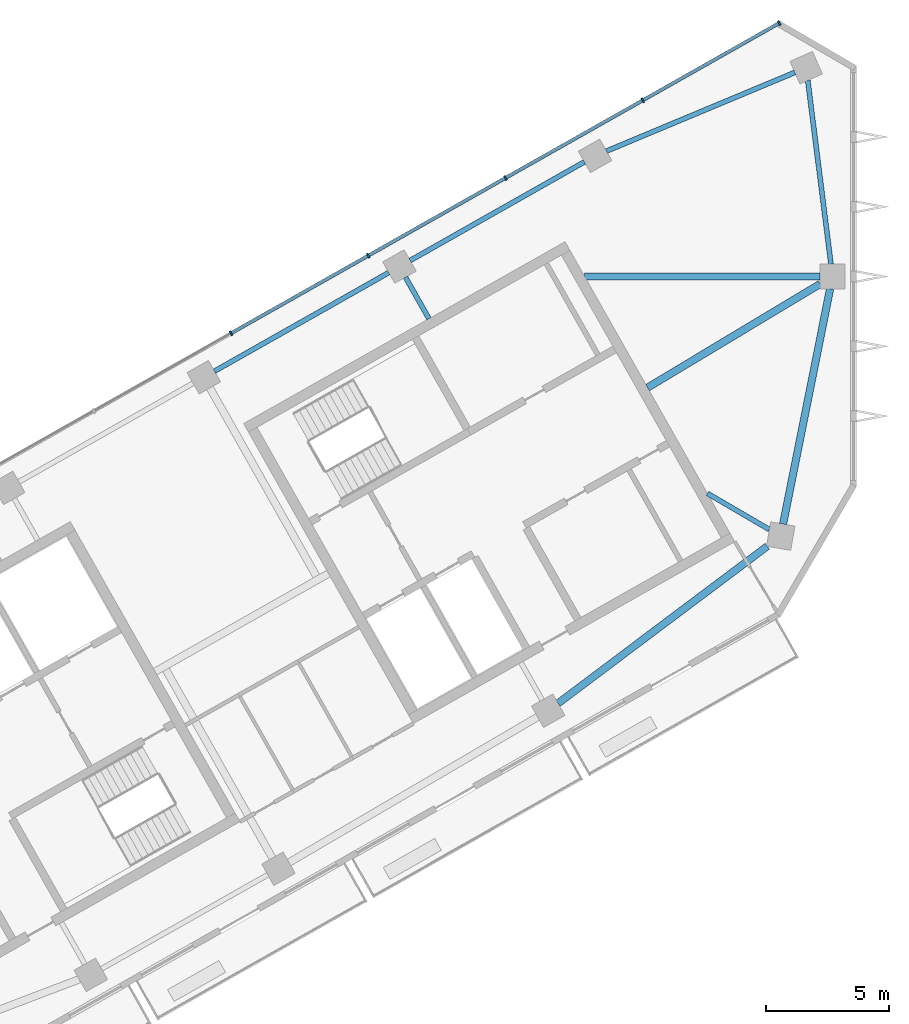
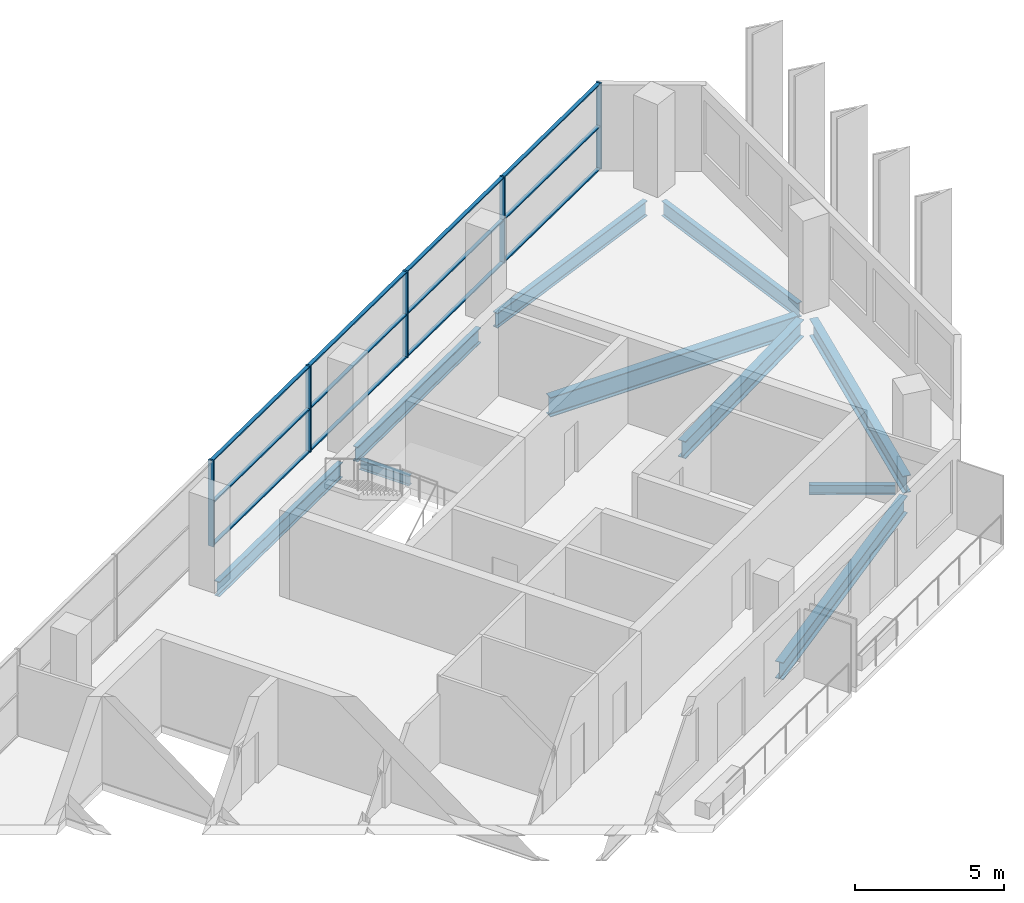
# One storey, part 4 of 10: 17 members, 10 beams, 1 element without a shape of its own.
"""IFC4 building model written with IfcOpenShell, lengths in metres."""

from ifc_helpers import new_model, si_unit, direction, frame, origin, origin_2d, place, context, subcontext, project, spatial, rectangle, i_section, extrude, material, material_profile, profile_set, type_object, element, aggregate, save


model = new_model("IFC4")

# Units and contexts
model_context = context("Model", 3, precision=1e-05, world=origin(), true_north=direction((0.0, 1.0)))
body_context = subcontext(model_context, "Body", "Model", "MODEL_VIEW")
ifc_project = project(units=[si_unit("LENGTHUNIT", "METRE"), si_unit("AREAUNIT", "SQUARE_METRE"), si_unit("VOLUMEUNIT", "CUBIC_METRE"), si_unit("PLANEANGLEUNIT", "RADIAN"), si_unit("MASSUNIT", "GRAM", prefix="KILO")], contexts=[model_context])

# Site, building, storey
site_placement = place(None, origin())
site = spatial("IfcSite", under=ifc_project, at=site_placement, CompositionType="ELEMENT")
building_placement = place(site_placement, origin())
building = spatial("IfcBuilding", under=site, at=building_placement, Name="Binnacle Exchange Tower", CompositionType="ELEMENT")
storey_placement = place(building_placement, frame((0.0, 0.0, 331.699951171875)))
storey = spatial("IfcBuildingStorey", under=building, at=storey_placement, Name="L75", CompositionType="ELEMENT", Elevation=331.699951171875)

# Curtain wall, members
ifc_material_1 = material(Name="Bronze anodised aluminium frame", Category="aluminium")
curtain_wall_type = type_object("IfcCurtainWallType", Name="External wall - curtain wall executive floors", PredefinedType="NOTDEFINED", material=ifc_material_1)
curtain_wall_placement = place(storey_placement, origin())
curtain_wall = element("IfcCurtainWall", 1, at=curtain_wall_placement, inside=storey, type_object=curtain_wall_type, Name="External wall curtain wall CW4-H03 L75", PredefinedType="NOTDEFINED")
ifc_material_profile_1 = material_profile(ifc_material_1, rectangle(XDim=0.199951171875, YDim=0.070068359375, at=origin_2d()), Name="AL 70x200")
ifc_profile_set_1 = profile_set([ifc_material_profile_1], Name="Bronze anodised aluminium frame")
member_type_1 = type_object("IfcMemberType", Name="CW4 MULLION 70x200", PredefinedType="MULLION", material=ifc_profile_set_1)
member_1_placement = place(storey_placement, frame((-3.01416015625, 70.294677734375, 0.0), z_axis=(0.0, 0.0, 1.0), x_axis=(0.492423763019, -0.870355581136, 0.0)))
member_1 = element("IfcMember", 2, at=member_1_placement, type_object=member_type_1, Name="CW4-H03 mullion 1", PredefinedType="MULLION", context=body_context, shape_type="SweptSolid", body=[
    extrude(rectangle(XDim=0.199951171875, YDim=0.070068359375, at=origin_2d()), origin(), (0.0, 0.0, 1.0), 3.52001953125),
])
member_2_placement = place(storey_placement, frame((-8.55859375, 67.15771484375, 0.0), z_axis=(0.0, 0.0, 1.0), x_axis=(0.492423763019, -0.870355581136, 0.0)))
member_2 = element("IfcMember", 3, at=member_2_placement, type_object=member_type_1, Name="CW4-H03 mullion 2", PredefinedType="MULLION", context=body_context, shape_type="SweptSolid", body=[
    extrude(rectangle(XDim=0.199951171875, YDim=0.070068359375, at=origin_2d()), origin(), (0.0, 0.0, 1.0), 3.52001953125),
])
member_3_placement = place(storey_placement, frame((-14.13330078125, 64.003662109375, 0.0), z_axis=(0.0, 0.0, 1.0), x_axis=(0.492423763019, -0.870355581136, 0.0)))
member_3 = element("IfcMember", 4, at=member_3_placement, type_object=member_type_1, Name="CW4-H03 mullion 3", PredefinedType="MULLION", context=body_context, shape_type="SweptSolid", body=[
    extrude(rectangle(XDim=0.199951171875, YDim=0.070068359375, at=origin_2d()), origin(), (0.0, 0.0, 1.0), 3.52001953125),
])
member_4_placement = place(storey_placement, frame((-19.708251953125, 60.849609375, 0.0), z_axis=(0.0, 0.0, 1.0), x_axis=(0.492423763019, -0.870355581136, 0.0)))
member_4 = element("IfcMember", 5, at=member_4_placement, type_object=member_type_1, Name="CW4-H03 mullion 4", PredefinedType="MULLION", context=body_context, shape_type="SweptSolid", body=[
    extrude(rectangle(XDim=0.199951171875, YDim=0.070068359375, at=origin_2d()), origin(), (0.0, 0.0, 1.0), 3.52001953125),
])
member_5_placement = place(storey_placement, frame((-25.283203125, 57.695556640625, 0.0), z_axis=(0.0, 0.0, 1.0), x_axis=(0.492423763019, -0.870355581136, 0.0)))
member_5 = element("IfcMember", 6, at=member_5_placement, type_object=member_type_1, Name="CW4-H03 mullion 5", PredefinedType="MULLION", context=body_context, shape_type="SweptSolid", body=[
    extrude(rectangle(XDim=0.199951171875, YDim=0.070068359375, at=origin_2d()), origin(), (0.0, 0.0, 1.0), 3.52001953125),
])
ifc_material_profile_2 = material_profile(ifc_material_1, rectangle(XDim=0.139892578125, YDim=0.050048828125, at=origin_2d()), Name="AL 140x50")
ifc_profile_set_2 = profile_set([ifc_material_profile_2], Name="Bronze anodised aluminium frame")
member_type_2 = type_object("IfcMemberType", Name="CW4 TRANSOM 50x140", PredefinedType="USERDEFINED", material=ifc_profile_set_2)
member_6_placement = place(storey_placement, frame((-3.044677734375, 70.27734375, 0.025146484375), z_axis=(-0.870359957561, -0.492416027637, 0.0), x_axis=(0.492416027637, -0.870359957561, 0.0)))
member_6 = element("IfcMember", 7, at=member_6_placement, type_object=member_type_2, Name="CW4-H03 transom 1.1", ObjectType="TRANSOM", PredefinedType="USERDEFINED", context=body_context, shape_type="SweptSolid", body=[
    extrude(rectangle(XDim=0.139892578125, YDim=0.050048828125, at=origin_2d()), origin(), (0.0, 0.0, 1.0), 6.300048828125),
])
member_7_placement = place(storey_placement, frame((-3.044677734375, 70.27734375, 1.760009765625), z_axis=(-0.870359957561, -0.492416027637, 0.0), x_axis=(0.492416027637, -0.870359957561, 0.0)))
member_7 = element("IfcMember", 8, at=member_7_placement, type_object=member_type_2, Name="CW4-H03 transom 1.2", ObjectType="TRANSOM", PredefinedType="USERDEFINED", context=body_context, shape_type="SweptSolid", body=[
    extrude(rectangle(XDim=0.139892578125, YDim=0.050048828125, at=origin_2d()), origin(), (0.0, 0.0, 1.0), 6.300048828125),
])
member_8_placement = place(storey_placement, frame((-3.044677734375, 70.27734375, 3.4951171875), z_axis=(-0.870359957561, -0.492416027637, 0.0), x_axis=(0.492416027637, -0.870359957561, 0.0)))
member_8 = element("IfcMember", 9, at=member_8_placement, type_object=member_type_2, Name="CW4-H03 transom 1.3", ObjectType="TRANSOM", PredefinedType="USERDEFINED", context=body_context, shape_type="SweptSolid", body=[
    extrude(rectangle(XDim=0.139892578125, YDim=0.050048828125, at=origin_2d()), origin(), (0.0, 0.0, 1.0), 6.300048828125),
])
member_9_placement = place(storey_placement, frame((-8.589111328125, 67.140625, 0.025146484375), z_axis=(-0.870355335808, -0.492424196633, 0.0), x_axis=(0.492424196633, -0.870355335808, 0.0)))
member_9 = element("IfcMember", 10, at=member_9_placement, type_object=member_type_2, Name="CW4-H03 transom 2.1", ObjectType="TRANSOM", PredefinedType="USERDEFINED", context=body_context, shape_type="SweptSolid", body=[
    extrude(rectangle(XDim=0.139892578125, YDim=0.050048828125, at=origin_2d()), origin(), (0.0, 0.0, 1.0), 6.335205078125),
])
member_10_placement = place(storey_placement, frame((-8.589111328125, 67.140625, 1.760009765625), z_axis=(-0.870355335808, -0.492424196633, 0.0), x_axis=(0.492424196633, -0.870355335808, 0.0)))
member_10 = element("IfcMember", 11, at=member_10_placement, type_object=member_type_2, Name="CW4-H03 transom 2.2", ObjectType="TRANSOM", PredefinedType="USERDEFINED", context=body_context, shape_type="SweptSolid", body=[
    extrude(rectangle(XDim=0.139892578125, YDim=0.050048828125, at=origin_2d()), origin(), (0.0, 0.0, 1.0), 6.335205078125),
])
member_11_placement = place(storey_placement, frame((-8.589111328125, 67.140625, 3.4951171875), z_axis=(-0.870355335808, -0.492424196633, 0.0), x_axis=(0.492424196633, -0.870355335808, 0.0)))
member_11 = element("IfcMember", 12, at=member_11_placement, type_object=member_type_2, Name="CW4-H03 transom 2.3", ObjectType="TRANSOM", PredefinedType="USERDEFINED", context=body_context, shape_type="SweptSolid", body=[
    extrude(rectangle(XDim=0.139892578125, YDim=0.050048828125, at=origin_2d()), origin(), (0.0, 0.0, 1.0), 6.335205078125),
])
member_12_placement = place(storey_placement, frame((-14.163818359375, 63.986328125, 0.025146484375), z_axis=(-0.870355335808, -0.492424196633, 0.0), x_axis=(0.492424196633, -0.870355335808, 0.0)))
member_12 = element("IfcMember", 13, at=member_12_placement, type_object=member_type_2, Name="CW4-H03 transom 3.1", ObjectType="TRANSOM", PredefinedType="USERDEFINED", context=body_context, shape_type="SweptSolid", body=[
    extrude(rectangle(XDim=0.139892578125, YDim=0.050048828125, at=origin_2d()), origin(), (0.0, 0.0, 1.0), 6.335205078125),
])
member_13_placement = place(storey_placement, frame((-14.163818359375, 63.986328125, 1.760009765625), z_axis=(-0.870355335808, -0.492424196633, 0.0), x_axis=(0.492424196633, -0.870355335808, 0.0)))
member_13 = element("IfcMember", 14, at=member_13_placement, type_object=member_type_2, Name="CW4-H03 transom 3.2", ObjectType="TRANSOM", PredefinedType="USERDEFINED", context=body_context, shape_type="SweptSolid", body=[
    extrude(rectangle(XDim=0.139892578125, YDim=0.050048828125, at=origin_2d()), origin(), (0.0, 0.0, 1.0), 6.335205078125),
])
member_14_placement = place(storey_placement, frame((-14.163818359375, 63.986328125, 3.4951171875), z_axis=(-0.870355335808, -0.492424196633, 0.0), x_axis=(0.492424196633, -0.870355335808, 0.0)))
member_14 = element("IfcMember", 15, at=member_14_placement, type_object=member_type_2, Name="CW4-H03 transom 3.3", ObjectType="TRANSOM", PredefinedType="USERDEFINED", context=body_context, shape_type="SweptSolid", body=[
    extrude(rectangle(XDim=0.139892578125, YDim=0.050048828125, at=origin_2d()), origin(), (0.0, 0.0, 1.0), 6.335205078125),
])
member_15_placement = place(storey_placement, frame((-19.73876953125, 60.832275390625, 0.025146484375), z_axis=(-0.870355335808, -0.492424196633, 0.0), x_axis=(0.492424196633, -0.870355335808, 0.0)))
member_15 = element("IfcMember", 16, at=member_15_placement, type_object=member_type_2, Name="CW4-H03 transom 4.1", ObjectType="TRANSOM", PredefinedType="USERDEFINED", context=body_context, shape_type="SweptSolid", body=[
    extrude(rectangle(XDim=0.139892578125, YDim=0.050048828125, at=origin_2d()), origin(), (0.0, 0.0, 1.0), 6.335205078125),
])
member_16_placement = place(storey_placement, frame((-19.73876953125, 60.832275390625, 1.760009765625), z_axis=(-0.870355335808, -0.492424196633, 0.0), x_axis=(0.492424196633, -0.870355335808, 0.0)))
member_16 = element("IfcMember", 17, at=member_16_placement, type_object=member_type_2, Name="CW4-H03 transom 4.2", ObjectType="TRANSOM", PredefinedType="USERDEFINED", context=body_context, shape_type="SweptSolid", body=[
    extrude(rectangle(XDim=0.139892578125, YDim=0.050048828125, at=origin_2d()), origin(), (0.0, 0.0, 1.0), 6.335205078125),
])
member_17_placement = place(storey_placement, frame((-19.73876953125, 60.832275390625, 3.4951171875), z_axis=(-0.870355335808, -0.492424196633, 0.0), x_axis=(0.492424196633, -0.870355335808, 0.0)))
member_17 = element("IfcMember", 18, at=member_17_placement, type_object=member_type_2, Name="CW4-H03 transom 4.3", ObjectType="TRANSOM", PredefinedType="USERDEFINED", context=body_context, shape_type="SweptSolid", body=[
    extrude(rectangle(XDim=0.139892578125, YDim=0.050048828125, at=origin_2d()), origin(), (0.0, 0.0, 1.0), 6.335205078125),
])
aggregate(curtain_wall, [member_1, member_2, member_3, member_4, member_5, member_6, member_7, member_8, member_9, member_10, member_11, member_12, member_13, member_14, member_15, member_16, member_17])

# Beams
ifc_material_2 = material(Name="Steel S355 (SHN355)", Category="steel")
ifc_material_profile_3 = material_profile(ifc_material_2, i_section(OverallWidth=0.200927734375, OverallDepth=0.60595703125, WebThickness=0.011962890625, FlangeThickness=0.02001953125, FilletRadius=0.02197265625, at=origin_2d()), Name="H 606x201x12x20")
ifc_profile_set_3 = profile_set([ifc_material_profile_3], Name="Steel S355 (SHN355)")
beam_type_1 = type_object("IfcBeamType", Name="Edge girder H 606x201x12x20 Steel S355 (SHN355)", PredefinedType="SPANDREL", material=ifc_profile_set_3)
beam_1_placement = place(storey_placement, frame((-0.9130859375, 60.5, -0.5830078125), z_axis=(-0.125172722987, 0.992134965325, 0.0), x_axis=(-0.992134965325, -0.125172722987, 0.0)))
element("IfcBeam", 19, at=beam_1_placement, inside=storey, type_object=beam_type_1, Name="S:BM:edge:L75:018", PredefinedType="SPANDREL", context=body_context, shape_type="SweptSolid", body=[
    extrude(i_section(OverallWidth=0.200927734375, OverallDepth=0.60595703125, WebThickness=0.011962890625, FlangeThickness=0.02001953125, FilletRadius=0.02197265625, at=origin_2d()), origin(), (0.0, 0.0, 1.0), 7.524658203125),
])
ifc_material_profile_4 = material_profile(ifc_material_2, i_section(OverallWidth=0.201904296875, OverallDepth=0.612060546875, WebThickness=0.012939453125, FlangeThickness=0.02294921875, FilletRadius=0.02197265625, at=origin_2d()), Name="H 612x202x13x23")
ifc_profile_set_4 = profile_set([ifc_material_profile_4], Name="Steel S355 (SHN355)")
beam_type_2 = type_object("IfcBeamType", Name="Edge girder H 612x202x13x23 Steel S355 (SHN355)", PredefinedType="SPANDREL", material=ifc_profile_set_4)
beam_2_placement = place(storey_placement, frame((-18.87646484375, 60.159912109375, -0.5859375), z_axis=(-0.870353024448, -0.49242828192, 0.0), x_axis=(0.49242828192, -0.870353024448, 0.0)))
element("IfcBeam", 20, at=beam_2_placement, inside=storey, type_object=beam_type_2, Name="S:BM:edge:L75:013", PredefinedType="SPANDREL", context=body_context, shape_type="SweptSolid", body=[
    extrude(i_section(OverallWidth=0.201904296875, OverallDepth=0.612060546875, WebThickness=0.012939453125, FlangeThickness=0.02294921875, FilletRadius=0.02197265625, at=origin_2d()), origin(), (0.0, 0.0, 1.0), 8.1298828125),
])
beam_3_placement = place(storey_placement, frame((-10.930419921875, 64.655517578125, -0.5859375), z_axis=(-0.870345742373, -0.492441152558, 0.0), x_axis=(0.492441152558, -0.870345742373, 0.0)))
element("IfcBeam", 21, at=beam_3_placement, inside=storey, type_object=beam_type_2, Name="S:BM:edge:L75:015", PredefinedType="SPANDREL", context=body_context, shape_type="SweptSolid", body=[
    extrude(i_section(OverallWidth=0.201904296875, OverallDepth=0.612060546875, WebThickness=0.012939453125, FlangeThickness=0.02294921875, FilletRadius=0.02197265625, at=origin_2d()), origin(), (0.0, 0.0, 1.0), 8.129638671875),
])
beam_4_placement = place(storey_placement, frame((-2.381591796875, 68.29052734375, -0.5859375), z_axis=(-0.922743712975, -0.385414115161, 0.0), x_axis=(0.385414115161, -0.922743712975, 0.0)))
element("IfcBeam", 22, at=beam_4_placement, inside=storey, type_object=beam_type_2, Name="S:BM:edge:L75:017", PredefinedType="SPANDREL", context=body_context, shape_type="SweptSolid", body=[
    extrude(i_section(OverallWidth=0.201904296875, OverallDepth=0.612060546875, WebThickness=0.012939453125, FlangeThickness=0.02294921875, FilletRadius=0.02197265625, at=origin_2d()), origin(), (0.0, 0.0, 1.0), 8.289306640625),
])
ifc_material_profile_5 = material_profile(ifc_material_2, i_section(OverallWidth=0.300048828125, OverallDepth=0.699951171875, WebThickness=0.012939453125, FlangeThickness=0.02392578125, FilletRadius=0.028076171875, at=origin_2d()), Name="H 700x300x13x24")
ifc_profile_set_5 = profile_set([ifc_material_profile_5], Name="Steel S355 (SHN355)")
beam_type_3 = type_object("IfcBeamType", Name="Edge girder H 700x300x13x24 Steel S355 (SHN355)", PredefinedType="SPANDREL", material=ifc_profile_set_5)
beam_5_placement = place(storey_placement, frame((-11.996826171875, 42.666015625, -0.6298828125), z_axis=(0.799641252976, 0.600478031687, 0.0), x_axis=(-0.600478031687, 0.799641252976, 0.0)))
element("IfcBeam", 23, at=beam_5_placement, inside=storey, type_object=beam_type_3, Name="S:BM:edge:L75:014", PredefinedType="SPANDREL", context=body_context, shape_type="SweptSolid", body=[
    extrude(i_section(OverallWidth=0.300048828125, OverallDepth=0.699951171875, WebThickness=0.012939453125, FlangeThickness=0.02392578125, FilletRadius=0.028076171875, at=origin_2d()), origin(), (0.0, 0.0, 1.0), 10.62060546875),
])
beam_6_placement = place(storey_placement, frame((-2.857421875, 49.946044921875, -0.6298828125), z_axis=(0.195812523993, 0.98064134904, 0.0), x_axis=(-0.98064134904, 0.195812523993, 0.0)))
element("IfcBeam", 24, at=beam_6_placement, inside=storey, type_object=beam_type_3, Name="S:BM:edge:L75:016", PredefinedType="SPANDREL", context=body_context, shape_type="SweptSolid", body=[
    extrude(i_section(OverallWidth=0.300048828125, OverallDepth=0.699951171875, WebThickness=0.012939453125, FlangeThickness=0.02392578125, FilletRadius=0.028076171875, at=origin_2d()), origin(), (0.0, 0.0, 1.0), 9.74267578125),
])
ifc_material_profile_6 = material_profile(ifc_material_2, i_section(OverallWidth=0.199951171875, OverallDepth=0.39990234375, WebThickness=0.008056640625, FlangeThickness=0.012939453125, FilletRadius=0.01611328125, at=origin_2d()), Name="H 400x200x8x13")
ifc_profile_set_6 = profile_set([ifc_material_profile_6], Name="Steel S355 (SHN355)")
beam_type_4 = type_object("IfcBeamType", Name="Floor beam H 400x200x8x13 Steel S355 (SHN355)", PredefinedType="BEAM", material=ifc_profile_set_6)
beam_7_placement = place(storey_placement, frame((-18.195068359375, 59.970703125, -0.47998046875), z_axis=(0.492423244016, -0.870355874773, 0.0), x_axis=(0.870355874773, 0.492423244016, 0.0)))
element("IfcBeam", 25, at=beam_7_placement, inside=storey, type_object=beam_type_4, Name="S:BM:cross:L75:026", PredefinedType="BEAM", context=body_context, shape_type="SweptSolid", body=[
    extrude(i_section(OverallWidth=0.199951171875, OverallDepth=0.39990234375, WebThickness=0.008056640625, FlangeThickness=0.012939453125, FilletRadius=0.01611328125, at=origin_2d()), origin(), (0.0, 0.0, 1.0), 1.93408203125),
])
beam_8_placement = place(storey_placement, frame((-3.416259765625, 49.72412109375, -0.47998046875), z_axis=(-0.86381235495, 0.503813671346, 0.0), x_axis=(-0.503813671346, -0.86381235495, 0.0)))
element("IfcBeam", 26, at=beam_8_placement, inside=storey, type_object=beam_type_4, Name="S:BM:cross:L75:028", PredefinedType="BEAM", context=body_context, shape_type="SweptSolid", body=[
    extrude(i_section(OverallWidth=0.199951171875, OverallDepth=0.39990234375, WebThickness=0.008056640625, FlangeThickness=0.012939453125, FilletRadius=0.01611328125, at=origin_2d()), origin(), (0.0, 0.0, 1.0), 2.911376953125),
])
ifc_material_profile_7 = material_profile(ifc_material_2, i_section(OverallWidth=0.300048828125, OverallDepth=0.800048828125, WebThickness=0.013916015625, FlangeThickness=0.02587890625, FilletRadius=0.028076171875, at=origin_2d()), Name="H 800x300x14x26")
ifc_profile_set_7 = profile_set([ifc_material_profile_7], Name="Steel S355 (SHN355)")
beam_type_5 = type_object("IfcBeamType", Name="Floor beam H 800x300x14x26 Steel S355 (SHN355)", PredefinedType="BEAM", material=ifc_profile_set_7)
beam_9_placement = place(storey_placement, frame((-1.35009765625, 60.0, -0.679931640625), z_axis=(-1.0, 0.0, 0.0), x_axis=(0.0, -1.0, 0.0)))
element("IfcBeam", 27, at=beam_9_placement, inside=storey, type_object=beam_type_5, Name="S:BM:cross:L75:029", PredefinedType="BEAM", context=body_context, shape_type="SweptSolid", body=[
    extrude(i_section(OverallWidth=0.300048828125, OverallDepth=0.800048828125, WebThickness=0.013916015625, FlangeThickness=0.02587890625, FilletRadius=0.028076171875, at=origin_2d()), origin(), (0.0, 0.0, 1.0), 9.56494140625),
])
ifc_material_profile_8 = material_profile(ifc_material_2, i_section(OverallWidth=0.300048828125, OverallDepth=0.699951171875, WebThickness=0.012939453125, FlangeThickness=0.02392578125, FilletRadius=0.028076171875, at=origin_2d()), Name="H 700x300x13x24")
ifc_profile_set_8 = profile_set([ifc_material_profile_8], Name="Steel S355 (SHN355)")
beam_type_6 = type_object("IfcBeamType", Name="Spine girder H 700x300x13x24 Steel S355 (SHN355)", PredefinedType="BEAM", material=ifc_profile_set_8)
beam_10_placement = place(storey_placement, frame((-8.36328125, 55.489990234375, -0.6298828125), z_axis=(0.857382296764, 0.514680092091, 0.0), x_axis=(-0.514680092091, 0.857382296764, 0.0)))
element("IfcBeam", 28, at=beam_10_placement, inside=storey, type_object=beam_type_6, Name="S:BM:spine:L75:003", PredefinedType="BEAM", context=body_context, shape_type="SweptSolid", body=[
    extrude(i_section(OverallWidth=0.300048828125, OverallDepth=0.699951171875, WebThickness=0.012939453125, FlangeThickness=0.02392578125, FilletRadius=0.028076171875, at=origin_2d()), origin(), (0.0, 0.0, 1.0), 8.1796875),
])

save(model, "model.ifc")
